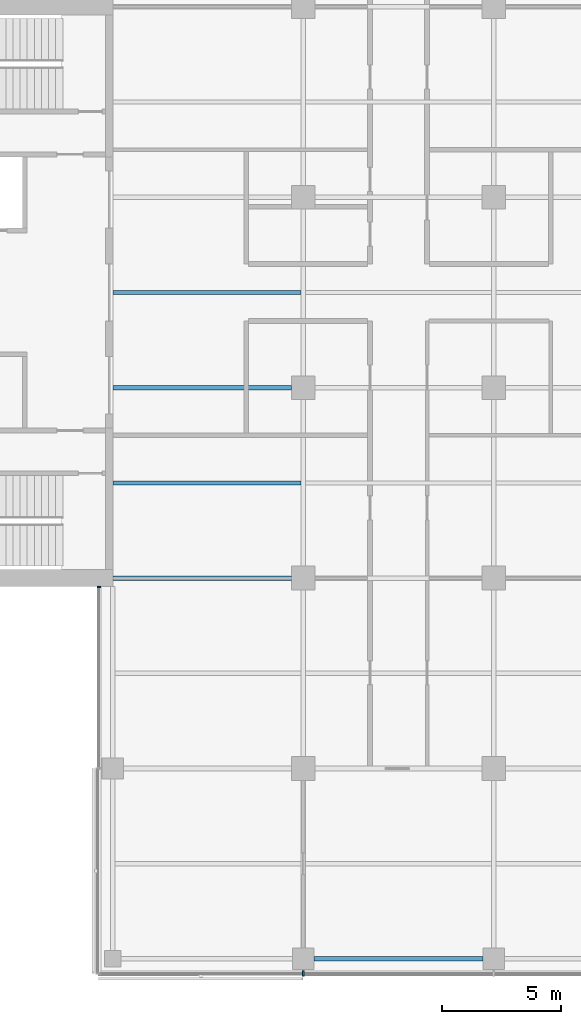
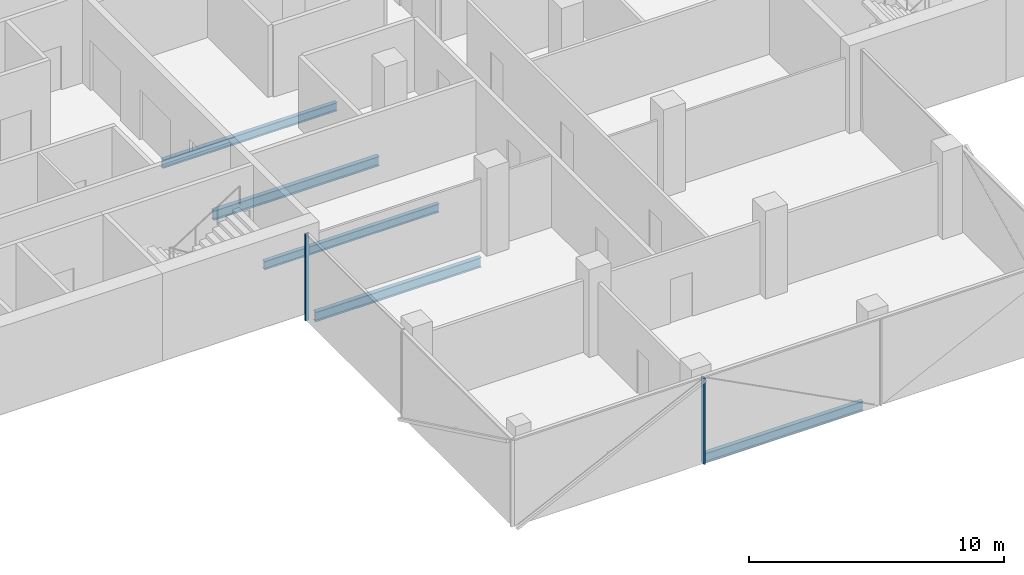
# One storey, part 4 of 22: 5 beams, 2 members, 2 elements without a shape of their own.
"""IFC4 building model written with IfcOpenShell, lengths in metres."""

from ifc_helpers import new_model, si_unit, direction, frame, origin, origin_2d, place, context, subcontext, project, spatial, rectangle, i_section, extrude, material, material_profile, profile_set, type_object, element, aggregate, save


model = new_model("IFC4")

# Units and contexts
model_context = context("Model", 3, precision=1e-05, world=origin(), true_north=direction((0.0, 1.0)))
body_context = subcontext(model_context, "Body", "Model", "MODEL_VIEW")
ifc_project = project(units=[si_unit("LENGTHUNIT", "METRE"), si_unit("AREAUNIT", "SQUARE_METRE"), si_unit("VOLUMEUNIT", "CUBIC_METRE"), si_unit("PLANEANGLEUNIT", "RADIAN"), si_unit("MASSUNIT", "GRAM", prefix="KILO")], contexts=[model_context])

# Site, building, storey
site_placement = place(None, origin())
site = spatial("IfcSite", under=ifc_project, at=site_placement, CompositionType="ELEMENT")
building_placement = place(site_placement, origin())
building = spatial("IfcBuilding", under=site, at=building_placement, Name="Crosswind Convention Tower", CompositionType="ELEMENT")
storey_placement = place(building_placement, frame((0.0, 0.0, 137.89990234375)))
storey = spatial("IfcBuildingStorey", under=building, at=storey_placement, Name="L28", CompositionType="ELEMENT", Elevation=137.89990234375)

# Beams
ifc_material_1 = material(Name="Steel S355", Category="steel")
ifc_material_profile_1 = material_profile(ifc_material_1, i_section(OverallWidth=0.18994140625, OverallDepth=0.45361328125, WebThickness=0.008544921875, FlangeThickness=0.0126953125, FilletRadius=0.01025390625, at=origin_2d()), Name="UB 457x191x67")
ifc_profile_set_1 = profile_set([ifc_material_profile_1], Name="Steel S355")
beam_type_1 = type_object("IfcBeamType", Name="Edge beam UB 457x191x67", PredefinedType="SPANDREL", material=ifc_profile_set_1)
beam_placement = place(storey_placement, frame((121.449951171875, 72.0, -0.526611328125), z_axis=(1.0, 0.0, 0.0), x_axis=(0.0, 1.0, 0.0)))
element("IfcBeam", 1, at=beam_placement, inside=storey, type_object=beam_type_1, Name="B16 L28 edge beam 12", PredefinedType="SPANDREL", context=body_context, shape_type="SweptSolid", body=[
    extrude(i_section(OverallWidth=0.18994140625, OverallDepth=0.45361328125, WebThickness=0.008544921875, FlangeThickness=0.0126953125, FilletRadius=0.01025390625, at=origin_2d()), origin(), (0.0, 0.0, 1.0), 7.10009765625),
])
ifc_material_profile_2 = material_profile(ifc_material_1, i_section(OverallWidth=0.19189453125, OverallDepth=0.463623046875, WebThickness=0.010498046875, FlangeThickness=0.017578125, FilletRadius=0.01025390625, at=origin_2d()), Name="UB 457x191x90")
ifc_profile_set_2 = profile_set([ifc_material_profile_2], Name="Steel S355")
beam_type_2 = type_object("IfcBeamType", Name="Girder at core wall UB 457x191x90", PredefinedType="BEAM", material=ifc_profile_set_2)
for number, where, z_axis, x_axis, name in (
    (2, (113.0, 88.0, -0.53173828125), (1.0, 0.0, 0.0), (0.0, 1.0, 0.0), "B24 L28 girder at core wall 3"),
    (3, (113.0, 96.0, -0.53173828125), (1.0, 0.0, 0.0), (0.0, 1.0, 0.0), "B24 L28 girder at core wall 4"),
):
    element("IfcBeam", number, at=place(storey_placement, frame(where, z_axis=z_axis, x_axis=x_axis)), inside=storey, type_object=beam_type_2, Name=name, PredefinedType="BEAM", context=body_context, shape_type="SweptSolid", body=[
        extrude(i_section(OverallWidth=0.19189453125, OverallDepth=0.463623046875, WebThickness=0.010498046875, FlangeThickness=0.017578125, FilletRadius=0.01025390625, at=origin_2d()), origin(), (0.0, 0.0, 1.0), 7.5),
    ])

# Curtain wall, member
ifc_material_2 = material(Name="Aluminium unitised curtain wall", Category="aluminium")
curtain_wall_type_1 = type_object("IfcCurtainWallType", Name="CORE END SLOT WALL 160", PredefinedType="USERDEFINED", material=ifc_material_2)
curtain_wall_1_placement = place(storey_placement, origin())
curtain_wall_1 = element("IfcCurtainWall", 4, at=curtain_wall_1_placement, inside=storey, type_object=curtain_wall_type_1, Name="CW6 L28 S-W.1-1 slot", ObjectType="UNITISED", PredefinedType="USERDEFINED")
ifc_material_3 = material(Name="Aluminium mullion", Category="aluminium")
ifc_material_profile_3 = material_profile(ifc_material_3, rectangle(XDim=0.159912109375, YDim=0.050048828125, at=origin_2d()), Name="AL 160X50")
ifc_profile_set_3 = profile_set([ifc_material_profile_3], Name="Aluminium mullion")
member_type_1 = type_object("IfcMemberType", Name="MULLION 50X160", PredefinedType="MULLION", material=ifc_profile_set_3)
member_1_placement = place(storey_placement, frame((112.419921875, 87.625, -0.2998046875), z_axis=(0.0, 0.0, 1.0), x_axis=(-1.0, 0.0, 0.0)))
member_1 = element("IfcMember", 5, at=member_1_placement, type_object=member_type_1, Name="CW6 mullion 1", PredefinedType="MULLION", context=body_context, shape_type="SweptSolid", body=[
    extrude(rectangle(XDim=0.159912109375, YDim=0.050048828125, at=origin_2d()), origin(), (0.0, 0.0, 1.0), 4.14990234375),
])
aggregate(curtain_wall_1, [member_1])

curtain_wall_type_2 = type_object("IfcCurtainWallType", Name="OFFICE UNITISED WALL 220", PredefinedType="USERDEFINED", material=ifc_material_2)
curtain_wall_2_placement = place(storey_placement, origin())
curtain_wall_2 = element("IfcCurtainWall", 6, at=curtain_wall_2_placement, inside=storey, type_object=curtain_wall_type_2, Name="CW3 L28 S-TIP 1", ObjectType="UNITISED", PredefinedType="USERDEFINED")
ifc_material_profile_4 = material_profile(ifc_material_3, rectangle(XDim=0.219970703125, YDim=0.070068359375, at=origin_2d()), Name="AL 220X70")
ifc_profile_set_4 = profile_set([ifc_material_profile_4], Name="Aluminium mullion")
member_type_2 = type_object("IfcMemberType", Name="MULLION 70X220", PredefinedType="MULLION", material=ifc_profile_set_4)
member_2_placement = place(storey_placement, frame((121.0, 71.389892578125, -0.2998046875), z_axis=(0.0, 0.0, 1.0), x_axis=(0.0, -1.0, 0.0)))
member_2 = element("IfcMember", 7, at=member_2_placement, type_object=member_type_2, Name="CW3 mullion 2", PredefinedType="MULLION", context=body_context, shape_type="SweptSolid", body=[
    extrude(rectangle(XDim=0.219970703125, YDim=0.070068359375, at=origin_2d()), origin(), (0.0, 0.0, 1.0), 4.1298828125),
])
aggregate(curtain_wall_2, [member_2])

# Beams
ifc_material_profile_5 = material_profile(ifc_material_1, i_section(OverallWidth=0.177734375, OverallDepth=0.406494140625, WebThickness=0.0078125, FlangeThickness=0.0126953125, FilletRadius=0.01025390625, at=origin_2d()), Name="UB 406x178x60")
ifc_profile_set_5 = profile_set([ifc_material_profile_5], Name="Steel S355")
beam_type_3 = type_object("IfcBeamType", Name="Secondary beam UB 406x178x60", PredefinedType="JOIST", material=ifc_profile_set_5)
for number, where, z_axis, x_axis, name in (
    (8, (113.0, 92.0, -0.503173828125), (1.0, 0.0, 0.0), (0.0, 1.0, 0.0), "B10 L28 secondary beam 4"),
    (9, (113.0, 100.0, -0.503173828125), (1.0, 0.0, 0.0), (0.0, 1.0, 0.0), "B10 L28 secondary beam 5"),
):
    element("IfcBeam", number, at=place(storey_placement, frame(where, z_axis=z_axis, x_axis=x_axis)), inside=storey, type_object=beam_type_3, Name=name, PredefinedType="JOIST", context=body_context, shape_type="SweptSolid", body=[
        extrude(i_section(OverallWidth=0.177734375, OverallDepth=0.406494140625, WebThickness=0.0078125, FlangeThickness=0.0126953125, FilletRadius=0.01025390625, at=origin_2d()), origin(), (0.0, 0.0, 1.0), 7.904296875),
    ])

save(model, "model.ifc")
